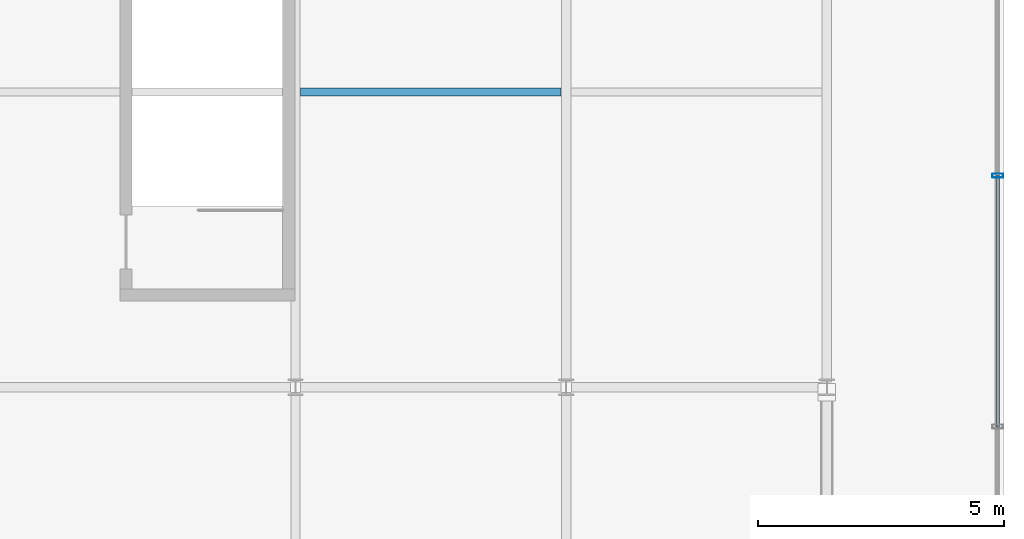
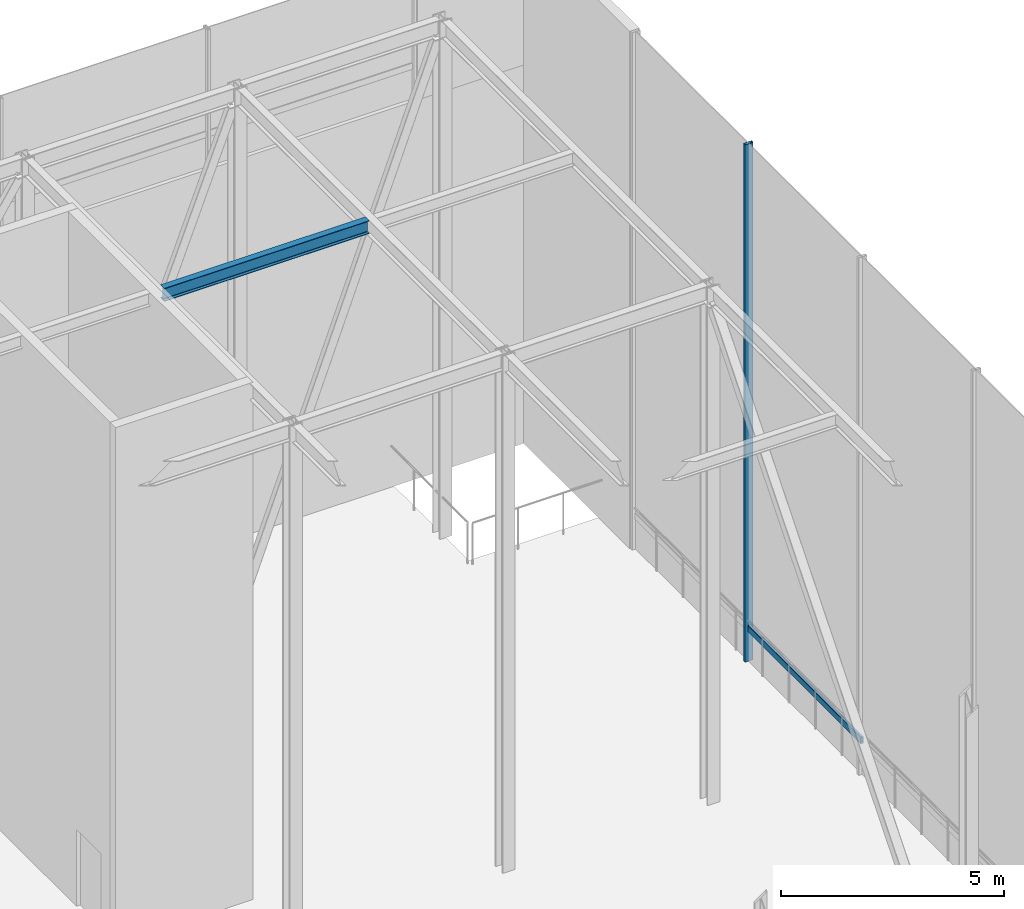
# One storey, part 26 of 42: 2 members, 1 beam, 1 element without a shape of its own.
"""IFC4 building model written with IfcOpenShell, lengths in metres."""

from ifc_helpers import new_model, si_unit, direction, frame, origin, origin_2d, place, context, subcontext, project, spatial, hollow_rectangle, i_section, extrude, material, layer, layer_set, material_profile, profile_set, type_object, element, aggregate, save


model = new_model("IFC4")

# Units and contexts
model_context = context("Model", 3, precision=1e-05, world=origin(), true_north=direction((0.0, 1.0)))
body_context = subcontext(model_context, "Body", "Model", "MODEL_VIEW")
ifc_project = project(units=[si_unit("LENGTHUNIT", "METRE"), si_unit("AREAUNIT", "SQUARE_METRE"), si_unit("VOLUMEUNIT", "CUBIC_METRE"), si_unit("PLANEANGLEUNIT", "RADIAN"), si_unit("MASSUNIT", "GRAM", prefix="KILO")], contexts=[model_context])

# Site, building, storey
site_placement = place(None, origin())
site = spatial("IfcSite", under=ifc_project, at=site_placement, CompositionType="ELEMENT")
building_placement = place(site_placement, origin())
building = spatial("IfcBuilding", under=site, at=building_placement, Name="Korimba Cascade Residences", CompositionType="ELEMENT")
storey_placement = place(building_placement, frame((0.0, 0.0, 207.60009765625)))
storey = spatial("IfcBuildingStorey", under=building, at=storey_placement, Name="L60", CompositionType="ELEMENT", Elevation=207.60009765625)

# Beam
ifc_material_1 = material(Name="Steel S355", Category="steel")
ifc_material_profile_1 = material_profile(ifc_material_1, i_section(OverallWidth=0.172119140625, OverallDepth=0.35791015625, WebThickness=0.008056640625, FlangeThickness=0.012939453125, FilletRadius=0.01025390625, at=origin_2d()), Name="Steel S355")
ifc_profile_set_1 = profile_set([ifc_material_profile_1], Name="Steel S355")
beam_type = type_object("IfcBeamType", Name="BM-STL-UB356", PredefinedType="JOIST", material=ifc_profile_set_1)
beam_placement = place(storey_placement, frame((118.199951171875, 24.39990234375, 13.970947265625), z_axis=(1.0, 0.0, 0.0), x_axis=(0.0, 1.0, 0.0)))
element("IfcBeam", 1, at=beam_placement, inside=storey, type_object=beam_type, Name="L60 Crown Cap Joist E3.2", PredefinedType="JOIST", context=body_context, shape_type="SweptSolid", body=[
    extrude(i_section(OverallWidth=0.172119140625, OverallDepth=0.35791015625, WebThickness=0.008056640625, FlangeThickness=0.012939453125, FilletRadius=0.01025390625, at=origin_2d()), origin(), (0.0, 0.0, 1.0), 5.300048828125),
])

# Curtain wall, members
ifc_material_2 = material(Name="Anodised Aluminium Curtain Wall Framing", Category="aluminium")
ifc_layer = layer(ifc_material_2, 0.179931640625)
ifc_layer_set = layer_set([ifc_layer], Name="Anodised Aluminium Curtain Wall Framing")
curtain_wall_type = type_object("IfcCurtainWallType", Name="CW-CRNE-SYS6", PredefinedType="NOTDEFINED", material=ifc_layer_set)
curtain_wall_placement = place(storey_placement, origin())
curtain_wall = element("IfcCurtainWall", 2, at=curtain_wall_placement, inside=storey, type_object=curtain_wall_type, Name="L60 Curtain Wall CW-L60-CRN-E-1", PredefinedType="NOTDEFINED")
ifc_material_3 = material(Name="Anodised Aluminium Mullion", Category="aluminium")
ifc_material_profile_2 = material_profile(ifc_material_3, hollow_rectangle(XDim=0.080078125, YDim=0.219970703125, WallThickness=0.00634765625, InnerFilletRadius=0.00634765625, OuterFilletRadius=0.0126953125, at=origin_2d()), Name="Anodised Aluminium Mullion")
ifc_profile_set_2 = profile_set([ifc_material_profile_2], Name="Anodised Aluminium Mullion")
member_type_1 = type_object("IfcMemberType", Name="CWM-MUL-220", PredefinedType="MULLION", material=ifc_profile_set_2)
member_1_placement = place(storey_placement, frame((132.375, 22.699951171875, 0.0), z_axis=(0.0, 0.0, 1.0), x_axis=(0.0, 1.0, 0.0)))
member_1 = element("IfcMember", 3, at=member_1_placement, type_object=member_type_1, Name="CW-L60-CRN-E-1 Mullion 6", PredefinedType="MULLION", context=body_context, shape_type="SweptSolid", body=[
    extrude(hollow_rectangle(XDim=0.080078125, YDim=0.219970703125, WallThickness=0.00634765625, InnerFilletRadius=0.00634765625, OuterFilletRadius=0.0126953125, at=origin_2d()), origin(), (0.0, 0.0, 1.0), 14.14990234375),
])
ifc_material_4 = material(Name="Anodised Aluminium Transom", Category="aluminium")
ifc_material_profile_3 = material_profile(ifc_material_4, hollow_rectangle(XDim=0.070068359375, YDim=0.179931640625, WallThickness=0.0048828125, InnerFilletRadius=0.0048828125, OuterFilletRadius=0.010009765625, at=origin_2d()), Name="Anodised Aluminium Transom")
ifc_profile_set_3 = profile_set([ifc_material_profile_3], Name="Anodised Aluminium Transom")
member_type_2 = type_object("IfcMemberType", Name="CWM-TRN-150", PredefinedType="USERDEFINED", material=ifc_profile_set_3)
member_2_placement = place(storey_placement, frame((132.375, 17.60009765625, 0.89990234375), z_axis=(0.0, 1.0, 0.0), x_axis=(-1.0, 0.0, 0.0)))
member_2 = element("IfcMember", 4, at=member_2_placement, type_object=member_type_2, Name="CW-L60-CRN-E-1 Transom 5", ObjectType="TRANSOM", PredefinedType="USERDEFINED", context=body_context, shape_type="SweptSolid", body=[
    extrude(hollow_rectangle(XDim=0.070068359375, YDim=0.179931640625, WallThickness=0.0048828125, InnerFilletRadius=0.0048828125, OuterFilletRadius=0.010009765625, at=origin_2d()), origin(), (0.0, 0.0, 1.0), 5.099853515625),
])
aggregate(curtain_wall, [member_1, member_2])

save(model, "model.ifc")
